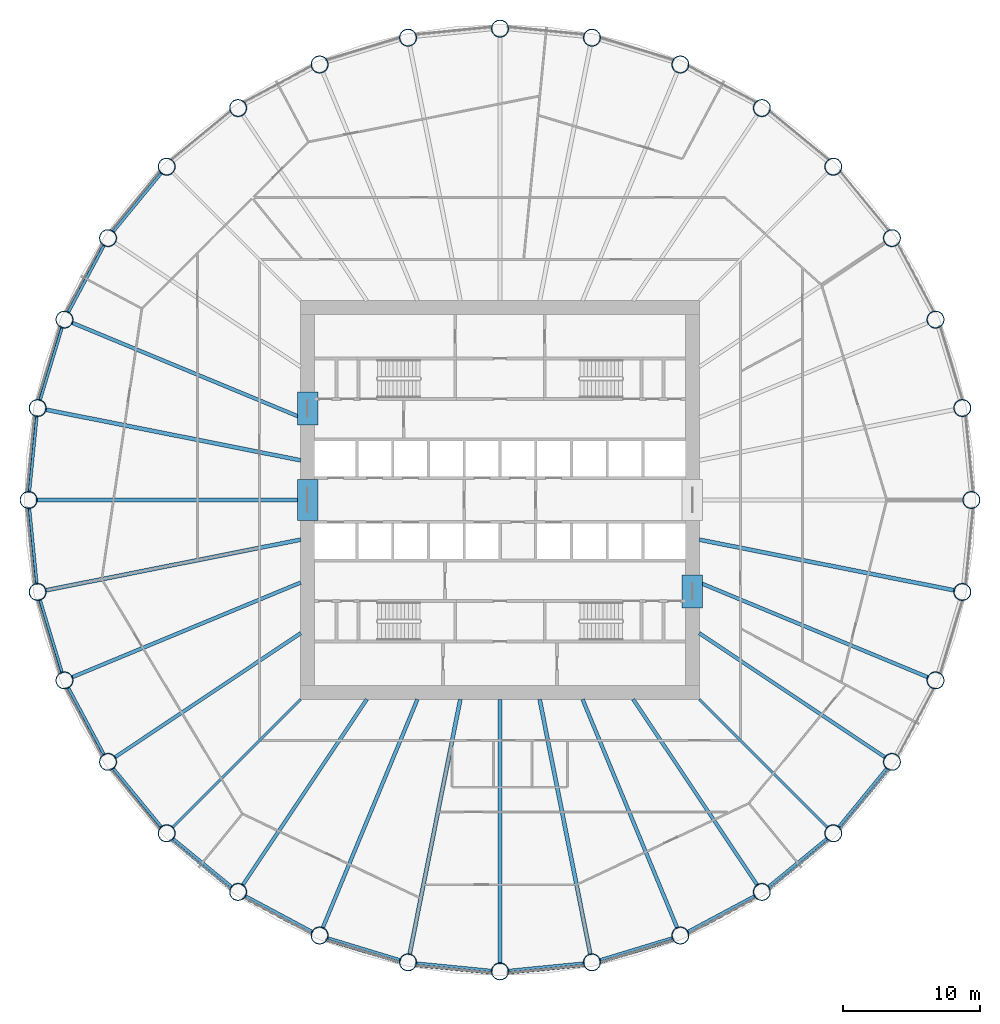
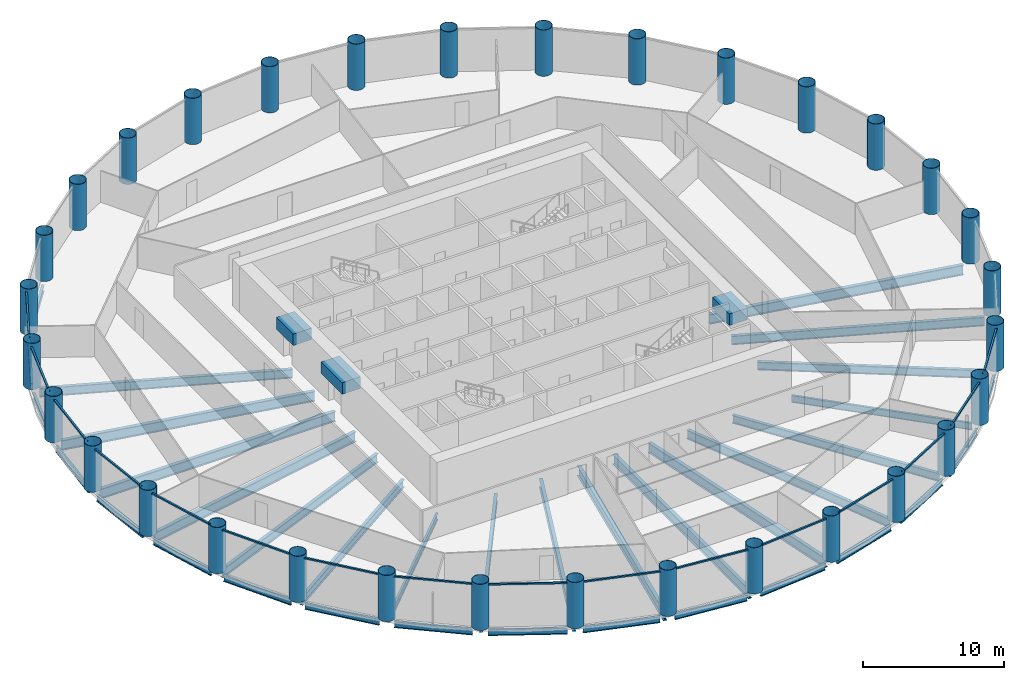
# One storey, part 1 of 8: 38 beams, 32 columns, 16 members, 16 elements without a shape of their own.
"""IFC4 building model written with IfcOpenShell, lengths in metres."""

from ifc_helpers import new_model, si_unit, direction, frame, origin, origin_2d, place, context, subcontext, project, spatial, rectangle, hollow_circle, i_section, extrude, material, material_profile, profile_set, type_object, element, aggregate, save


model = new_model("IFC4")

# Units and contexts
model_context = context("Model", 3, precision=1e-05, world=origin(), true_north=direction((0.0, 1.0)))
body_context = subcontext(model_context, "Body", "Model", "MODEL_VIEW")
ifc_project = project(units=[si_unit("LENGTHUNIT", "METRE"), si_unit("AREAUNIT", "SQUARE_METRE"), si_unit("VOLUMEUNIT", "CUBIC_METRE"), si_unit("PLANEANGLEUNIT", "RADIAN"), si_unit("MASSUNIT", "GRAM", prefix="KILO")], contexts=[model_context])

# Site, building, storey
site_placement = place(None, origin())
site = spatial("IfcSite", under=ifc_project, at=site_placement, CompositionType="ELEMENT")
building_placement = place(site_placement, origin())
building = spatial("IfcBuilding", under=site, at=building_placement, Name="Corvane Civic Tower", CompositionType="ELEMENT")
storey_placement = place(building_placement, frame((0.0, 0.0, 122.5)))
storey = spatial("IfcBuildingStorey", under=building, at=storey_placement, Name="L28", CompositionType="ELEMENT", Elevation=122.5)

# Columns
ifc_material_1 = material(Name="Steel ASTM A572 Gr 50", Category="steel")
ifc_material_profile_1 = material_profile(ifc_material_1, hollow_circle(Radius=0.625, WallThickness=0.035888671875, at=origin_2d()), Name="CHS1250X36")
ifc_profile_set_1 = profile_set([ifc_material_profile_1], Name="Steel ASTM A572 Gr 50")
column_type = type_object("IfcColumnType", Name="COMPOSITE COLUMN CHS1250X36", PredefinedType="COLUMN", material=ifc_profile_set_1)
for number, where, z_axis, x_axis, name in (
    (1, (0.0, 34.300048828125, 0.0), (0.0, 0.0, 1.0), (1.0, 0.0, 0.0), "COL-L28-B01"),
    (2, (6.691650390625, 33.640869140625, 0.0), (0.0, 0.0, 1.0), (1.0, 0.0, 0.0), "COL-L28-B02"),
    (3, (13.1259765625, 31.68896484375, 0.0), (0.0, 0.0, 1.0), (1.0, 0.0, 0.0), "COL-L28-B03"),
    (4, (19.05615234375, 28.519287109375, 0.0), (0.0, 0.0, 1.0), (1.0, 0.0, 0.0), "COL-L28-B04"),
    (5, (24.253662109375, 24.253662109375, 0.0), (0.0, 0.0, 1.0), (1.0, 0.0, 0.0), "COL-L28-B05"),
    (6, (28.519287109375, 19.05615234375, 0.0), (0.0, 0.0, 1.0), (1.0, 0.0, 0.0), "COL-L28-B06"),
    (7, (31.68896484375, 13.1259765625, 0.0), (0.0, 0.0, 1.0), (1.0, 0.0, 0.0), "COL-L28-B07"),
    (8, (33.640869140625, 6.691650390625, 0.0), (0.0, 0.0, 1.0), (1.0, 0.0, 0.0), "COL-L28-B08"),
    (9, (34.300048828125, 0.0, 0.0), (0.0, 0.0, 1.0), (1.0, 0.0, 0.0), "COL-L28-B09"),
    (10, (33.640869140625, -6.691650390625, 0.0), (0.0, 0.0, 1.0), (1.0, 0.0, 0.0), "COL-L28-B10"),
    (11, (31.68896484375, -13.1259765625, 0.0), (0.0, 0.0, 1.0), (1.0, 0.0, 0.0), "COL-L28-B11"),
    (12, (28.519287109375, -19.05615234375, 0.0), (0.0, 0.0, 1.0), (1.0, 0.0, 0.0), "COL-L28-B12"),
    (13, (24.253662109375, -24.253662109375, 0.0), (0.0, 0.0, 1.0), (1.0, 0.0, 0.0), "COL-L28-B13"),
    (14, (19.05615234375, -28.519287109375, 0.0), (0.0, 0.0, 1.0), (1.0, 0.0, 0.0), "COL-L28-B14"),
    (15, (13.1259765625, -31.68896484375, 0.0), (0.0, 0.0, 1.0), (1.0, 0.0, 0.0), "COL-L28-B15"),
    (16, (6.691650390625, -33.640869140625, 0.0), (0.0, 0.0, 1.0), (1.0, 0.0, 0.0), "COL-L28-B16"),
    (17, (0.0, -34.300048828125, 0.0), (0.0, 0.0, 1.0), (1.0, 0.0, 0.0), "COL-L28-B17"),
    (18, (-6.691650390625, -33.640869140625, 0.0), (0.0, 0.0, 1.0), (1.0, 0.0, 0.0), "COL-L28-B18"),
    (19, (-13.1259765625, -31.68896484375, 0.0), (0.0, 0.0, 1.0), (1.0, 0.0, 0.0), "COL-L28-B19"),
    (20, (-19.05615234375, -28.519287109375, 0.0), (0.0, 0.0, 1.0), (1.0, 0.0, 0.0), "COL-L28-B20"),
    (21, (-24.253662109375, -24.253662109375, 0.0), (0.0, 0.0, 1.0), (1.0, 0.0, 0.0), "COL-L28-B21"),
    (22, (-28.519287109375, -19.05615234375, 0.0), (0.0, 0.0, 1.0), (1.0, 0.0, 0.0), "COL-L28-B22"),
    (23, (-31.68896484375, -13.1259765625, 0.0), (0.0, 0.0, 1.0), (1.0, 0.0, 0.0), "COL-L28-B23"),
    (24, (-33.640869140625, -6.691650390625, 0.0), (0.0, 0.0, 1.0), (1.0, 0.0, 0.0), "COL-L28-B24"),
    (25, (-34.300048828125, 0.0, 0.0), (0.0, 0.0, 1.0), (1.0, 0.0, 0.0), "COL-L28-B25"),
    (26, (-33.640869140625, 6.691650390625, 0.0), (0.0, 0.0, 1.0), (1.0, 0.0, 0.0), "COL-L28-B26"),
    (27, (-31.68896484375, 13.1259765625, 0.0), (0.0, 0.0, 1.0), (1.0, 0.0, 0.0), "COL-L28-B27"),
    (28, (-28.519287109375, 19.05615234375, 0.0), (0.0, 0.0, 1.0), (1.0, 0.0, 0.0), "COL-L28-B28"),
    (29, (-24.253662109375, 24.253662109375, 0.0), (0.0, 0.0, 1.0), (1.0, 0.0, 0.0), "COL-L28-B29"),
    (30, (-19.05615234375, 28.519287109375, 0.0), (0.0, 0.0, 1.0), (1.0, 0.0, 0.0), "COL-L28-B30"),
    (31, (-13.1259765625, 31.68896484375, 0.0), (0.0, 0.0, 1.0), (1.0, 0.0, 0.0), "COL-L28-B31"),
    (32, (-6.691650390625, 33.640869140625, 0.0), (0.0, 0.0, 1.0), (1.0, 0.0, 0.0), "COL-L28-B32"),
):
    element("IfcColumn", number, at=place(storey_placement, frame(where, z_axis=z_axis, x_axis=x_axis)), inside=storey, type_object=column_type, Name=name, PredefinedType="COLUMN", context=body_context, shape_type="SweptSolid", body=[
        extrude(hollow_circle(Radius=0.625, WallThickness=0.035888671875, at=origin_2d()), origin(), (0.0, 0.0, 1.0), 4.0),
    ])

# Beams
ifc_material_2 = material(Name="Concrete C70/85", Category="concrete")
ifc_material_profile_2 = material_profile(ifc_material_2, rectangle(XDim=1.5, YDim=1.0, at=origin_2d()), Name="COUPLING BEAM 1500X1000")
ifc_profile_set_2 = profile_set([ifc_material_profile_2], Name="Concrete C70/85")
beam_type_1 = type_object("IfcBeamType", Name="COUPLING BEAM COUPLING BEAM 1500X1000", PredefinedType="BEAM", material=ifc_profile_set_2)
beam_1_placement = place(storey_placement, frame((-14.0, -1.5, 2.60009765625), z_axis=(0.0, 1.0, 0.0), x_axis=(-1.0, 0.0, 0.0)))
element("IfcBeam", 33, at=beam_1_placement, inside=storey, type_object=beam_type_1, Name="BM-L28-cpl-CW-LW", PredefinedType="BEAM", context=body_context, shape_type="SweptSolid", body=[
    extrude(rectangle(XDim=1.5, YDim=1.0, at=origin_2d()), origin(), (0.0, 0.0, 1.0), 3.0),
])
for number, where, z_axis, x_axis, name in (
    (34, (-14.0, 5.449951171875, 2.60009765625), (0.0, 1.0, 0.0), (-1.0, 0.0, 0.0), "BM-L28-cpl-CW-WN"),
    (35, (14.0, -7.85009765625, 2.60009765625), (0.0, 1.0, 0.0), (-1.0, 0.0, 0.0), "BM-L28-cpl-CW-ES"),
):
    element("IfcBeam", number, at=place(storey_placement, frame(where, z_axis=z_axis, x_axis=x_axis)), inside=storey, type_object=beam_type_1, Name=name, PredefinedType="BEAM", context=body_context, shape_type="SweptSolid", body=[
        extrude(rectangle(XDim=1.5, YDim=1.0, at=origin_2d()), origin(), (0.0, 0.0, 1.0), 2.400146484375),
    ])
ifc_material_3 = material(Name="Steel ASTM A992 Gr 50", Category="steel")
ifc_material_profile_3 = material_profile(ifc_material_3, i_section(OverallWidth=0.209228515625, OverallDepth=0.533447265625, WebThickness=0.01025390625, FlangeThickness=0.015625, at=origin_2d()), Name="W21X62")
ifc_profile_set_3 = profile_set([ifc_material_profile_3], Name="Steel ASTM A992 Gr 50")
beam_type_2 = type_object("IfcBeamType", Name="EDGE BEAM W21X62", PredefinedType="BEAM", material=ifc_profile_set_3)
for number, where, z_axis, x_axis, name in (
    (36, (28.17041015625, -19.481201171875, -0.566650390625), (-0.634397765782, -0.773006775372, 0.0), (0.773006775372, -0.634397765782, 0.0), "BM-L28-E12"),
    (37, (23.82861328125, -24.6025390625, -0.566650390625), (-0.773006775372, -0.634397765782, 0.0), (0.634397765782, -0.773006775372, 0.0), "BM-L28-E13"),
    (38, (18.571044921875, -28.778564453125, -0.566650390625), (-0.88192357867, -0.471392407008, 0.0), (0.471392407008, -0.88192357867, 0.0), "BM-L28-E14"),
):
    element("IfcBeam", number, at=place(storey_placement, frame(where, z_axis=z_axis, x_axis=x_axis)), inside=storey, type_object=beam_type_2, Name=name, PredefinedType="BEAM", context=body_context, shape_type="SweptSolid", body=[
        extrude(i_section(OverallWidth=0.209228515625, OverallDepth=0.533447265625, WebThickness=0.01025390625, FlangeThickness=0.015625, at=origin_2d()), origin(), (0.0, 0.0, 1.0), 5.6240234375),
    ])
beam_2_placement = place(storey_placement, frame((12.599609375, -31.8486328125, -0.566650390625), z_axis=(-0.956936367498, -0.290297758448, 0.0), x_axis=(0.290297758448, -0.956936367498, 0.0)))
element("IfcBeam", 39, at=beam_2_placement, inside=storey, type_object=beam_type_2, Name="BM-L28-E15", PredefinedType="BEAM", context=body_context, shape_type="SweptSolid", body=[
    extrude(i_section(OverallWidth=0.209228515625, OverallDepth=0.533447265625, WebThickness=0.01025390625, FlangeThickness=0.015625, at=origin_2d()), origin(), (0.0, 0.0, 1.0), 5.623779296875),
])
for number, where, z_axis, x_axis, name in (
    (40, (6.144287109375, -33.69482421875, -0.566650390625), (-0.995184368522, -0.098020776625, 0.0), (0.098020776625, -0.995184368522, 0.0), "BM-L28-E16"),
    (41, (-0.54736328125, -34.24609375, -0.566650390625), (-0.995184368522, 0.098020776625, 0.0), (-0.098020776625, -0.995184368522, 0.0), "BM-L28-E17"),
):
    element("IfcBeam", number, at=place(storey_placement, frame(where, z_axis=z_axis, x_axis=x_axis)), inside=storey, type_object=beam_type_2, Name=name, PredefinedType="BEAM", context=body_context, shape_type="SweptSolid", body=[
        extrude(i_section(OverallWidth=0.209228515625, OverallDepth=0.533447265625, WebThickness=0.01025390625, FlangeThickness=0.015625, at=origin_2d()), origin(), (0.0, 0.0, 1.0), 5.6240234375),
    ])
beam_3_placement = place(storey_placement, frame((-7.218017578125, -33.481201171875, -0.566650390625), z_axis=(-0.956936367498, 0.290297758448, 0.0), x_axis=(-0.290297758448, -0.956936367498, 0.0)))
element("IfcBeam", 42, at=beam_3_placement, inside=storey, type_object=beam_type_2, Name="BM-L28-E18", PredefinedType="BEAM", context=body_context, shape_type="SweptSolid", body=[
    extrude(i_section(OverallWidth=0.209228515625, OverallDepth=0.533447265625, WebThickness=0.01025390625, FlangeThickness=0.015625, at=origin_2d()), origin(), (0.0, 0.0, 1.0), 5.623779296875),
])
for number, where, z_axis, x_axis, name in (
    (43, (-13.611083984375, -31.4296875, -0.566650390625), (-0.88192357867, 0.471392407008, 0.0), (-0.471392407008, -0.88192357867, 0.0), "BM-L28-E19"),
    (44, (-19.481201171875, -28.17041015625, -0.566650390625), (-0.773006775372, 0.634397765782, 0.0), (-0.634397765782, -0.773006775372, 0.0), "BM-L28-E20"),
    (45, (-24.6025390625, -23.82861328125, -0.566650390625), (-0.634397765782, 0.773006775372, 0.0), (-0.773006775372, -0.634397765782, 0.0), "BM-L28-E21"),
    (46, (-28.778564453125, -18.571044921875, -0.566650390625), (-0.471392407008, 0.88192357867, 0.0), (-0.88192357867, -0.471392407008, 0.0), "BM-L28-E22"),
):
    element("IfcBeam", number, at=place(storey_placement, frame(where, z_axis=z_axis, x_axis=x_axis)), inside=storey, type_object=beam_type_2, Name=name, PredefinedType="BEAM", context=body_context, shape_type="SweptSolid", body=[
        extrude(i_section(OverallWidth=0.209228515625, OverallDepth=0.533447265625, WebThickness=0.01025390625, FlangeThickness=0.015625, at=origin_2d()), origin(), (0.0, 0.0, 1.0), 5.6240234375),
    ])
beam_4_placement = place(storey_placement, frame((-31.8486328125, -12.599609375, -0.566650390625), z_axis=(-0.290297758448, 0.956936367498, 0.0), x_axis=(-0.956936367498, -0.290297758448, 0.0)))
element("IfcBeam", 47, at=beam_4_placement, inside=storey, type_object=beam_type_2, Name="BM-L28-E23", PredefinedType="BEAM", context=body_context, shape_type="SweptSolid", body=[
    extrude(i_section(OverallWidth=0.209228515625, OverallDepth=0.533447265625, WebThickness=0.01025390625, FlangeThickness=0.015625, at=origin_2d()), origin(), (0.0, 0.0, 1.0), 5.623779296875),
])
for number, where, z_axis, x_axis, name in (
    (48, (-33.69482421875, -6.144287109375, -0.566650390625), (-0.098020776625, 0.995184368522, 0.0), (-0.995184368522, -0.098020776625, 0.0), "BM-L28-E24"),
    (49, (-34.24609375, 0.54736328125, -0.566650390625), (0.098020776625, 0.995184368522, 0.0), (-0.995184368522, 0.098020776625, 0.0), "BM-L28-E25"),
):
    element("IfcBeam", number, at=place(storey_placement, frame(where, z_axis=z_axis, x_axis=x_axis)), inside=storey, type_object=beam_type_2, Name=name, PredefinedType="BEAM", context=body_context, shape_type="SweptSolid", body=[
        extrude(i_section(OverallWidth=0.209228515625, OverallDepth=0.533447265625, WebThickness=0.01025390625, FlangeThickness=0.015625, at=origin_2d()), origin(), (0.0, 0.0, 1.0), 5.6240234375),
    ])
beam_5_placement = place(storey_placement, frame((-33.481201171875, 7.218017578125, -0.566650390625), z_axis=(0.290297758448, 0.956936367498, 0.0), x_axis=(-0.956936367498, 0.290297758448, 0.0)))
element("IfcBeam", 50, at=beam_5_placement, inside=storey, type_object=beam_type_2, Name="BM-L28-E26", PredefinedType="BEAM", context=body_context, shape_type="SweptSolid", body=[
    extrude(i_section(OverallWidth=0.209228515625, OverallDepth=0.533447265625, WebThickness=0.01025390625, FlangeThickness=0.015625, at=origin_2d()), origin(), (0.0, 0.0, 1.0), 5.623779296875),
])
for number, where, z_axis, x_axis, name in (
    (51, (-31.4296875, 13.611083984375, -0.566650390625), (0.471392407008, 0.88192357867, 0.0), (-0.88192357867, 0.471392407008, 0.0), "BM-L28-E27"),
    (52, (-28.17041015625, 19.481201171875, -0.566650390625), (0.634397765782, 0.773006775372, 0.0), (-0.773006775372, 0.634397765782, 0.0), "BM-L28-E28"),
):
    element("IfcBeam", number, at=place(storey_placement, frame(where, z_axis=z_axis, x_axis=x_axis)), inside=storey, type_object=beam_type_2, Name=name, PredefinedType="BEAM", context=body_context, shape_type="SweptSolid", body=[
        extrude(i_section(OverallWidth=0.209228515625, OverallDepth=0.533447265625, WebThickness=0.01025390625, FlangeThickness=0.015625, at=origin_2d()), origin(), (0.0, 0.0, 1.0), 5.6240234375),
    ])
ifc_material_4 = material(Name="Steel ASTM A992 Gr 50", Category="steel")
ifc_material_profile_4 = material_profile(ifc_material_4, i_section(OverallWidth=0.177978515625, OverallDepth=0.599365234375, WebThickness=0.010009765625, FlangeThickness=0.012939453125, at=origin_2d()), Name="W24X55")
ifc_profile_set_4 = profile_set([ifc_material_profile_4], Name="Steel ASTM A992 Gr 50")
beam_type_3 = type_object("IfcBeamType", Name="FLOOR GIRDER W24X55", PredefinedType="BEAM", material=ifc_profile_set_4)
for number, where, z_axis, x_axis, name in (
    (53, (14.5, -14.5, -0.599609375), (0.707106781187, -0.707106781187, 0.0), (0.707106781187, 0.707106781187, 0.0), "BM-L28-G13"),
    (54, (-14.5, -14.5, -0.599609375), (-0.707106781187, -0.707106781187, 0.0), (0.707106781187, -0.707106781187, 0.0), "BM-L28-G21"),
):
    element("IfcBeam", number, at=place(storey_placement, frame(where, z_axis=z_axis, x_axis=x_axis)), inside=storey, type_object=beam_type_3, Name=name, PredefinedType="BEAM", context=body_context, shape_type="SweptSolid", body=[
        extrude(i_section(OverallWidth=0.177978515625, OverallDepth=0.599365234375, WebThickness=0.010009765625, FlangeThickness=0.012939453125, at=origin_2d()), origin(), (0.0, 0.0, 1.0), 13.24365234375),
    ])
ifc_material_5 = material(Name="Steel ASTM A992 Gr 50", Category="steel")
ifc_material_profile_5 = material_profile(ifc_material_5, i_section(OverallWidth=0.256591796875, OverallDepth=0.693359375, WebThickness=0.014404296875, FlangeThickness=0.023681640625, at=origin_2d()), Name="W27X114")
ifc_profile_set_5 = profile_set([ifc_material_profile_5], Name="Steel ASTM A992 Gr 50")
beam_type_4 = type_object("IfcBeamType", Name="FLOOR GIRDER W27X114", PredefinedType="BEAM", material=ifc_profile_set_5)
for number, where, z_axis, x_axis, name in (
    (55, (14.5, -9.6884765625, -0.646728515625), (0.83146493365, -0.555577235054, 0.0), (0.555577235054, 0.83146493365, 0.0), "BM-L28-G12"),
    (56, (9.6884765625, -14.5, -0.646728515625), (0.555577235054, -0.83146493365, 0.0), (0.83146493365, 0.555577235054, 0.0), "BM-L28-G14"),
    (57, (-9.6884765625, -14.5, -0.646728515625), (-0.555577235054, -0.83146493365, 0.0), (0.83146493365, -0.555577235054, 0.0), "BM-L28-G20"),
    (58, (-14.5, -9.6884765625, -0.646728515625), (-0.83146493365, -0.555577235054, 0.0), (0.555577235054, -0.83146493365, 0.0), "BM-L28-G22"),
):
    element("IfcBeam", number, at=place(storey_placement, frame(where, z_axis=z_axis, x_axis=x_axis)), inside=storey, type_object=beam_type_4, Name=name, PredefinedType="BEAM", context=body_context, shape_type="SweptSolid", body=[
        extrude(i_section(OverallWidth=0.256591796875, OverallDepth=0.693359375, WebThickness=0.014404296875, FlangeThickness=0.023681640625, at=origin_2d()), origin(), (0.0, 0.0, 1.0), 16.31103515625),
    ])
ifc_material_6 = material(Name="Steel ASTM A992 Gr 50", Category="steel")
ifc_material_profile_6 = material_profile(ifc_material_6, i_section(OverallWidth=0.2666015625, OverallDepth=0.7568359375, WebThickness=0.013916015625, FlangeThickness=0.019287109375, at=origin_2d()), Name="W30X108")
ifc_profile_set_6 = profile_set([ifc_material_profile_6], Name="Steel ASTM A992 Gr 50")
beam_type_5 = type_object("IfcBeamType", Name="FLOOR GIRDER W30X108", PredefinedType="BEAM", material=ifc_profile_set_6)
for number, where, z_axis, x_axis, name in (
    (59, (14.5, -6.006103515625, -0.678466796875), (0.923880209691, -0.382681797504, 0.0), (0.382681797504, 0.923880209691, 0.0), "BM-L28-G11"),
    (60, (6.006103515625, -14.5, -0.678466796875), (0.382681797504, -0.923880209691, 0.0), (0.923880209691, 0.382681797504, 0.0), "BM-L28-G15"),
    (61, (-6.006103515625, -14.5, -0.678466796875), (-0.382681797504, -0.923880209691, 0.0), (0.923880209691, -0.382681797504, 0.0), "BM-L28-G19"),
    (62, (-14.5, -6.006103515625, -0.678466796875), (-0.923880209691, -0.382681797504, 0.0), (0.382681797504, -0.923880209691, 0.0), "BM-L28-G23"),
    (63, (-14.5, 6.006103515625, -0.678466796875), (-0.923880209691, 0.382681797504, 0.0), (-0.382681797504, -0.923880209691, 0.0), "BM-L28-G27"),
):
    element("IfcBeam", number, at=place(storey_placement, frame(where, z_axis=z_axis, x_axis=x_axis)), inside=storey, type_object=beam_type_5, Name=name, PredefinedType="BEAM", context=body_context, shape_type="SweptSolid", body=[
        extrude(i_section(OverallWidth=0.2666015625, OverallDepth=0.7568359375, WebThickness=0.013916015625, FlangeThickness=0.019287109375, at=origin_2d()), origin(), (0.0, 0.0, 1.0), 18.05517578125),
    ])
ifc_material_7 = material(Name="Steel ASTM A992 Gr 50", Category="steel")
ifc_material_profile_7 = material_profile(ifc_material_7, i_section(OverallWidth=0.2919921875, OverallDepth=0.8583984375, WebThickness=0.01708984375, FlangeThickness=0.031005859375, at=origin_2d()), Name="W33X169")
ifc_profile_set_7 = profile_set([ifc_material_profile_7], Name="Steel ASTM A992 Gr 50")
beam_type_6 = type_object("IfcBeamType", Name="FLOOR GIRDER W33X169", PredefinedType="BEAM", material=ifc_profile_set_7)
for number, where, z_axis, x_axis, name in (
    (64, (14.5, -2.88427734375, -0.729248046875), (0.9807865885, -0.195083745652, 0.0), (0.195083745652, 0.9807865885, 0.0), "BM-L28-G10"),
    (65, (2.88427734375, -14.5, -0.729248046875), (0.195083745652, -0.9807865885, 0.0), (0.9807865885, 0.195083745652, 0.0), "BM-L28-G16"),
):
    element("IfcBeam", number, at=place(storey_placement, frame(where, z_axis=z_axis, x_axis=x_axis)), inside=storey, type_object=beam_type_6, Name=name, PredefinedType="BEAM", context=body_context, shape_type="SweptSolid", body=[
        extrude(i_section(OverallWidth=0.2919921875, OverallDepth=0.8583984375, WebThickness=0.01708984375, FlangeThickness=0.031005859375, at=origin_2d()), origin(), (0.0, 0.0, 1.0), 18.966064453125),
    ])
beam_6_placement = place(storey_placement, frame((0.0, -14.5, -0.729248046875), z_axis=(0.0, -1.0, 0.0), x_axis=(1.0, 0.0, 0.0)))
element("IfcBeam", 66, at=beam_6_placement, inside=storey, type_object=beam_type_6, Name="BM-L28-G17", PredefinedType="BEAM", context=body_context, shape_type="SweptSolid", body=[
    extrude(i_section(OverallWidth=0.2919921875, OverallDepth=0.8583984375, WebThickness=0.01708984375, FlangeThickness=0.031005859375, at=origin_2d()), origin(), (0.0, 0.0, 1.0), 19.25),
])
for number, where, z_axis, x_axis, name in (
    (67, (-2.88427734375, -14.5, -0.729248046875), (-0.195083745652, -0.9807865885, 0.0), (0.9807865885, -0.195083745652, 0.0), "BM-L28-G18"),
    (68, (-14.5, -2.88427734375, -0.729248046875), (-0.9807865885, -0.195083745652, 0.0), (0.195083745652, -0.9807865885, 0.0), "BM-L28-G24"),
):
    element("IfcBeam", number, at=place(storey_placement, frame(where, z_axis=z_axis, x_axis=x_axis)), inside=storey, type_object=beam_type_6, Name=name, PredefinedType="BEAM", context=body_context, shape_type="SweptSolid", body=[
        extrude(i_section(OverallWidth=0.2919921875, OverallDepth=0.8583984375, WebThickness=0.01708984375, FlangeThickness=0.031005859375, at=origin_2d()), origin(), (0.0, 0.0, 1.0), 18.966064453125),
    ])
beam_7_placement = place(storey_placement, frame((-14.5, 0.0, -0.729248046875), z_axis=(-1.0, 0.0, 0.0), x_axis=(0.0, -1.0, 0.0)))
element("IfcBeam", 69, at=beam_7_placement, inside=storey, type_object=beam_type_6, Name="BM-L28-G25", PredefinedType="BEAM", context=body_context, shape_type="SweptSolid", body=[
    extrude(i_section(OverallWidth=0.2919921875, OverallDepth=0.8583984375, WebThickness=0.01708984375, FlangeThickness=0.031005859375, at=origin_2d()), origin(), (0.0, 0.0, 1.0), 19.25),
])
beam_8_placement = place(storey_placement, frame((-14.5, 2.88427734375, -0.729248046875), z_axis=(-0.9807865885, 0.195083745652, 0.0), x_axis=(-0.195083745652, -0.9807865885, 0.0)))
element("IfcBeam", 70, at=beam_8_placement, inside=storey, type_object=beam_type_6, Name="BM-L28-G26", PredefinedType="BEAM", context=body_context, shape_type="SweptSolid", body=[
    extrude(i_section(OverallWidth=0.2919921875, OverallDepth=0.8583984375, WebThickness=0.01708984375, FlangeThickness=0.031005859375, at=origin_2d()), origin(), (0.0, 0.0, 1.0), 18.966064453125),
])

# Curtain wall, member
ifc_material_8 = material(Name="Anodised aluminium bronze", Category="aluminium")
curtain_wall_type = type_object("IfcCurtainWallType", Name="TOWER CW-T1 STICK CURTAIN WALL", PredefinedType="NOTDEFINED", material=ifc_material_8)
curtain_wall_1_placement = place(storey_placement, origin())
curtain_wall_1 = element("IfcCurtainWall", 71, at=curtain_wall_1_placement, inside=storey, type_object=curtain_wall_type, Name="Curtain wall CW-T1 L28 bay 12", PredefinedType="NOTDEFINED")
ifc_material_9 = material(Name="Anodised aluminium bronze", Category="aluminium")
ifc_material_profile_8 = material_profile(ifc_material_9, rectangle(XDim=0.139892578125, YDim=0.1201171875, at=origin_2d()), Name="TOWER CW-T1 TRANSOM 140x120")
ifc_profile_set_8 = profile_set([ifc_material_profile_8], Name="Anodised aluminium bronze")
member_type = type_object("IfcMemberType", Name="TOWER CW-T1 TRANSOM 140x120", PredefinedType="USERDEFINED", material=ifc_profile_set_8)
member_1_placement = place(storey_placement, frame((28.297119140625, -19.609619140625, 3.68994140625), z_axis=(-0.634410369295, -0.772996431642, 0.0), x_axis=(0.772996431642, -0.634410369295, 0.0)))
member_1 = element("IfcMember", 72, at=member_1_placement, type_object=member_type, Name="Transom CW-T1 L28 12.1", ObjectType="TRANSOM", PredefinedType="USERDEFINED", context=body_context, shape_type="SweptSolid", body=[
    extrude(rectangle(XDim=0.139892578125, YDim=0.1201171875, at=origin_2d()), origin(), (0.0, 0.0, 1.0), 5.586181640625),
])
aggregate(curtain_wall_1, [member_1])

curtain_wall_2_placement = place(storey_placement, origin())
curtain_wall_2 = element("IfcCurtainWall", 73, at=curtain_wall_2_placement, inside=storey, type_object=curtain_wall_type, Name="Curtain wall CW-T1 L28 bay 13", PredefinedType="NOTDEFINED")
member_2_placement = place(storey_placement, frame((23.927734375, -24.753173828125, 3.68994140625), z_axis=(-0.772996431642, -0.634410369295, 0.0), x_axis=(0.634410369295, -0.772996431642, 0.0)))
member_2 = element("IfcMember", 74, at=member_2_placement, type_object=member_type, Name="Transom CW-T1 L28 13.1", ObjectType="TRANSOM", PredefinedType="USERDEFINED", context=body_context, shape_type="SweptSolid", body=[
    extrude(rectangle(XDim=0.139892578125, YDim=0.1201171875, at=origin_2d()), origin(), (0.0, 0.0, 1.0), 5.586181640625),
])
aggregate(curtain_wall_2, [member_2])

curtain_wall_3_placement = place(storey_placement, origin())
curtain_wall_3 = element("IfcCurtainWall", 75, at=curtain_wall_3_placement, inside=storey, type_object=curtain_wall_type, Name="Curtain wall CW-T1 L28 bay 14", PredefinedType="NOTDEFINED")
member_3_placement = place(storey_placement, frame((18.63916015625, -28.945556640625, 3.68994140625), z_axis=(-0.881920705407, -0.47139778253, 0.0), x_axis=(0.47139778253, -0.881920705407, 0.0)))
member_3 = element("IfcMember", 76, at=member_3_placement, type_object=member_type, Name="Transom CW-T1 L28 14.1", ObjectType="TRANSOM", PredefinedType="USERDEFINED", context=body_context, shape_type="SweptSolid", body=[
    extrude(rectangle(XDim=0.139892578125, YDim=0.1201171875, at=origin_2d()), origin(), (0.0, 0.0, 1.0), 5.586669921875),
])
aggregate(curtain_wall_3, [member_3])

curtain_wall_4_placement = place(storey_placement, origin())
curtain_wall_4 = element("IfcCurtainWall", 77, at=curtain_wall_4_placement, inside=storey, type_object=curtain_wall_type, Name="Curtain wall CW-T1 L28 bay 15", PredefinedType="NOTDEFINED")
member_4_placement = place(storey_placement, frame((12.6337890625, -32.025634765625, 3.68994140625), z_axis=(-0.956944977029, -0.290269376509, 0.0), x_axis=(0.290269376509, -0.956944977029, 0.0)))
member_4 = element("IfcMember", 78, at=member_4_placement, type_object=member_type, Name="Transom CW-T1 L28 15.1", ObjectType="TRANSOM", PredefinedType="USERDEFINED", context=body_context, shape_type="SweptSolid", body=[
    extrude(rectangle(XDim=0.139892578125, YDim=0.1201171875, at=origin_2d()), origin(), (0.0, 0.0, 1.0), 5.58642578125),
])
aggregate(curtain_wall_4, [member_4])

curtain_wall_5_placement = place(storey_placement, origin())
curtain_wall_5 = element("IfcCurtainWall", 79, at=curtain_wall_5_placement, inside=storey, type_object=curtain_wall_type, Name="Curtain wall CW-T1 L28 bay 16", PredefinedType="NOTDEFINED")
member_5_placement = place(storey_placement, frame((6.14306640625, -33.874755859375, 3.68994140625), z_axis=(-0.995179807033, -0.098067077419, 0.0), x_axis=(0.098067077419, -0.995179807033, 0.0)))
member_5 = element("IfcMember", 80, at=member_5_placement, type_object=member_type, Name="Transom CW-T1 L28 16.1", ObjectType="TRANSOM", PredefinedType="USERDEFINED", context=body_context, shape_type="SweptSolid", body=[
    extrude(rectangle(XDim=0.139892578125, YDim=0.1201171875, at=origin_2d()), origin(), (0.0, 0.0, 1.0), 5.58642578125),
])
aggregate(curtain_wall_5, [member_5])

curtain_wall_6_placement = place(storey_placement, origin())
curtain_wall_6 = element("IfcCurtainWall", 81, at=curtain_wall_6_placement, inside=storey, type_object=curtain_wall_type, Name="Curtain wall CW-T1 L28 bay 17", PredefinedType="NOTDEFINED")
member_6_placement = place(storey_placement, frame((-0.58349609375, -34.422607421875, 3.68994140625), z_axis=(-0.995179807033, 0.098067077419, 0.0), x_axis=(-0.098067077419, -0.995179807033, 0.0)))
member_6 = element("IfcMember", 82, at=member_6_placement, type_object=member_type, Name="Transom CW-T1 L28 17.1", ObjectType="TRANSOM", PredefinedType="USERDEFINED", context=body_context, shape_type="SweptSolid", body=[
    extrude(rectangle(XDim=0.139892578125, YDim=0.1201171875, at=origin_2d()), origin(), (0.0, 0.0, 1.0), 5.58642578125),
])
aggregate(curtain_wall_6, [member_6])

curtain_wall_7_placement = place(storey_placement, origin())
curtain_wall_7 = element("IfcCurtainWall", 83, at=curtain_wall_7_placement, inside=storey, type_object=curtain_wall_type, Name="Curtain wall CW-T1 L28 bay 18", PredefinedType="NOTDEFINED")
member_7_placement = place(storey_placement, frame((-7.287841796875, -33.647216796875, 3.68994140625), z_axis=(-0.956944977029, 0.290269376509, 0.0), x_axis=(-0.290269376509, -0.956944977029, 0.0)))
member_7 = element("IfcMember", 84, at=member_7_placement, type_object=member_type, Name="Transom CW-T1 L28 18.1", ObjectType="TRANSOM", PredefinedType="USERDEFINED", context=body_context, shape_type="SweptSolid", body=[
    extrude(rectangle(XDim=0.139892578125, YDim=0.1201171875, at=origin_2d()), origin(), (0.0, 0.0, 1.0), 5.58642578125),
])
aggregate(curtain_wall_7, [member_7])

curtain_wall_8_placement = place(storey_placement, origin())
curtain_wall_8 = element("IfcCurtainWall", 85, at=curtain_wall_8_placement, inside=storey, type_object=curtain_wall_type, Name="Curtain wall CW-T1 L28 bay 19", PredefinedType="NOTDEFINED")
member_8_placement = place(storey_placement, frame((-13.712158203125, -31.5791015625, 3.68994140625), z_axis=(-0.881920705407, 0.47139778253, 0.0), x_axis=(-0.47139778253, -0.881920705407, 0.0)))
member_8 = element("IfcMember", 86, at=member_8_placement, type_object=member_type, Name="Transom CW-T1 L28 19.1", ObjectType="TRANSOM", PredefinedType="USERDEFINED", context=body_context, shape_type="SweptSolid", body=[
    extrude(rectangle(XDim=0.139892578125, YDim=0.1201171875, at=origin_2d()), origin(), (0.0, 0.0, 1.0), 5.586669921875),
])
aggregate(curtain_wall_8, [member_8])

curtain_wall_9_placement = place(storey_placement, origin())
curtain_wall_9 = element("IfcCurtainWall", 87, at=curtain_wall_9_placement, inside=storey, type_object=curtain_wall_type, Name="Curtain wall CW-T1 L28 bay 20", PredefinedType="NOTDEFINED")
member_9_placement = place(storey_placement, frame((-19.609619140625, -28.297119140625, 3.68994140625), z_axis=(-0.772996431642, 0.634410369295, 0.0), x_axis=(-0.634410369295, -0.772996431642, 0.0)))
member_9 = element("IfcMember", 88, at=member_9_placement, type_object=member_type, Name="Transom CW-T1 L28 20.1", ObjectType="TRANSOM", PredefinedType="USERDEFINED", context=body_context, shape_type="SweptSolid", body=[
    extrude(rectangle(XDim=0.139892578125, YDim=0.1201171875, at=origin_2d()), origin(), (0.0, 0.0, 1.0), 5.586181640625),
])
aggregate(curtain_wall_9, [member_9])

curtain_wall_10_placement = place(storey_placement, origin())
curtain_wall_10 = element("IfcCurtainWall", 89, at=curtain_wall_10_placement, inside=storey, type_object=curtain_wall_type, Name="Curtain wall CW-T1 L28 bay 21", PredefinedType="NOTDEFINED")
member_10_placement = place(storey_placement, frame((-24.753173828125, -23.927734375, 3.68994140625), z_axis=(-0.634410369295, 0.772996431642, 0.0), x_axis=(-0.772996431642, -0.634410369295, 0.0)))
member_10 = element("IfcMember", 90, at=member_10_placement, type_object=member_type, Name="Transom CW-T1 L28 21.1", ObjectType="TRANSOM", PredefinedType="USERDEFINED", context=body_context, shape_type="SweptSolid", body=[
    extrude(rectangle(XDim=0.139892578125, YDim=0.1201171875, at=origin_2d()), origin(), (0.0, 0.0, 1.0), 5.586181640625),
])
aggregate(curtain_wall_10, [member_10])

curtain_wall_11_placement = place(storey_placement, origin())
curtain_wall_11 = element("IfcCurtainWall", 91, at=curtain_wall_11_placement, inside=storey, type_object=curtain_wall_type, Name="Curtain wall CW-T1 L28 bay 22", PredefinedType="NOTDEFINED")
member_11_placement = place(storey_placement, frame((-28.945556640625, -18.63916015625, 3.68994140625), z_axis=(-0.47139778253, 0.881920705407, 0.0), x_axis=(-0.881920705407, -0.47139778253, 0.0)))
member_11 = element("IfcMember", 92, at=member_11_placement, type_object=member_type, Name="Transom CW-T1 L28 22.1", ObjectType="TRANSOM", PredefinedType="USERDEFINED", context=body_context, shape_type="SweptSolid", body=[
    extrude(rectangle(XDim=0.139892578125, YDim=0.1201171875, at=origin_2d()), origin(), (0.0, 0.0, 1.0), 5.586669921875),
])
aggregate(curtain_wall_11, [member_11])

curtain_wall_12_placement = place(storey_placement, origin())
curtain_wall_12 = element("IfcCurtainWall", 93, at=curtain_wall_12_placement, inside=storey, type_object=curtain_wall_type, Name="Curtain wall CW-T1 L28 bay 23", PredefinedType="NOTDEFINED")
member_12_placement = place(storey_placement, frame((-32.025634765625, -12.6337890625, 3.68994140625), z_axis=(-0.290269376509, 0.956944977029, 0.0), x_axis=(-0.956944977029, -0.290269376509, 0.0)))
member_12 = element("IfcMember", 94, at=member_12_placement, type_object=member_type, Name="Transom CW-T1 L28 23.1", ObjectType="TRANSOM", PredefinedType="USERDEFINED", context=body_context, shape_type="SweptSolid", body=[
    extrude(rectangle(XDim=0.139892578125, YDim=0.1201171875, at=origin_2d()), origin(), (0.0, 0.0, 1.0), 5.58642578125),
])
aggregate(curtain_wall_12, [member_12])

curtain_wall_13_placement = place(storey_placement, origin())
curtain_wall_13 = element("IfcCurtainWall", 95, at=curtain_wall_13_placement, inside=storey, type_object=curtain_wall_type, Name="Curtain wall CW-T1 L28 bay 24", PredefinedType="NOTDEFINED")
member_13_placement = place(storey_placement, frame((-33.874755859375, -6.14306640625, 3.68994140625), z_axis=(-0.098067077419, 0.995179807033, 0.0), x_axis=(-0.995179807033, -0.098067077419, 0.0)))
member_13 = element("IfcMember", 96, at=member_13_placement, type_object=member_type, Name="Transom CW-T1 L28 24.1", ObjectType="TRANSOM", PredefinedType="USERDEFINED", context=body_context, shape_type="SweptSolid", body=[
    extrude(rectangle(XDim=0.139892578125, YDim=0.1201171875, at=origin_2d()), origin(), (0.0, 0.0, 1.0), 5.58642578125),
])
aggregate(curtain_wall_13, [member_13])

curtain_wall_14_placement = place(storey_placement, origin())
curtain_wall_14 = element("IfcCurtainWall", 97, at=curtain_wall_14_placement, inside=storey, type_object=curtain_wall_type, Name="Curtain wall CW-T1 L28 bay 25", PredefinedType="NOTDEFINED")
member_14_placement = place(storey_placement, frame((-34.422607421875, 0.58349609375, 3.68994140625), z_axis=(0.098067077419, 0.995179807033, 0.0), x_axis=(-0.995179807033, 0.098067077419, 0.0)))
member_14 = element("IfcMember", 98, at=member_14_placement, type_object=member_type, Name="Transom CW-T1 L28 25.1", ObjectType="TRANSOM", PredefinedType="USERDEFINED", context=body_context, shape_type="SweptSolid", body=[
    extrude(rectangle(XDim=0.139892578125, YDim=0.1201171875, at=origin_2d()), origin(), (0.0, 0.0, 1.0), 5.58642578125),
])
aggregate(curtain_wall_14, [member_14])

curtain_wall_15_placement = place(storey_placement, origin())
curtain_wall_15 = element("IfcCurtainWall", 99, at=curtain_wall_15_placement, inside=storey, type_object=curtain_wall_type, Name="Curtain wall CW-T1 L28 bay 26", PredefinedType="NOTDEFINED")
member_15_placement = place(storey_placement, frame((-33.647216796875, 7.287841796875, 3.68994140625), z_axis=(0.290269376509, 0.956944977029, 0.0), x_axis=(-0.956944977029, 0.290269376509, 0.0)))
member_15 = element("IfcMember", 100, at=member_15_placement, type_object=member_type, Name="Transom CW-T1 L28 26.1", ObjectType="TRANSOM", PredefinedType="USERDEFINED", context=body_context, shape_type="SweptSolid", body=[
    extrude(rectangle(XDim=0.139892578125, YDim=0.1201171875, at=origin_2d()), origin(), (0.0, 0.0, 1.0), 5.58642578125),
])
aggregate(curtain_wall_15, [member_15])

curtain_wall_16_placement = place(storey_placement, origin())
curtain_wall_16 = element("IfcCurtainWall", 101, at=curtain_wall_16_placement, inside=storey, type_object=curtain_wall_type, Name="Curtain wall CW-T1 L28 bay 27", PredefinedType="NOTDEFINED")
member_16_placement = place(storey_placement, frame((-31.5791015625, 13.712158203125, 3.68994140625), z_axis=(0.47139778253, 0.881920705407, 0.0), x_axis=(-0.881920705407, 0.47139778253, 0.0)))
member_16 = element("IfcMember", 102, at=member_16_placement, type_object=member_type, Name="Transom CW-T1 L28 27.1", ObjectType="TRANSOM", PredefinedType="USERDEFINED", context=body_context, shape_type="SweptSolid", body=[
    extrude(rectangle(XDim=0.139892578125, YDim=0.1201171875, at=origin_2d()), origin(), (0.0, 0.0, 1.0), 5.586669921875),
])
aggregate(curtain_wall_16, [member_16])

save(model, "model.ifc")
